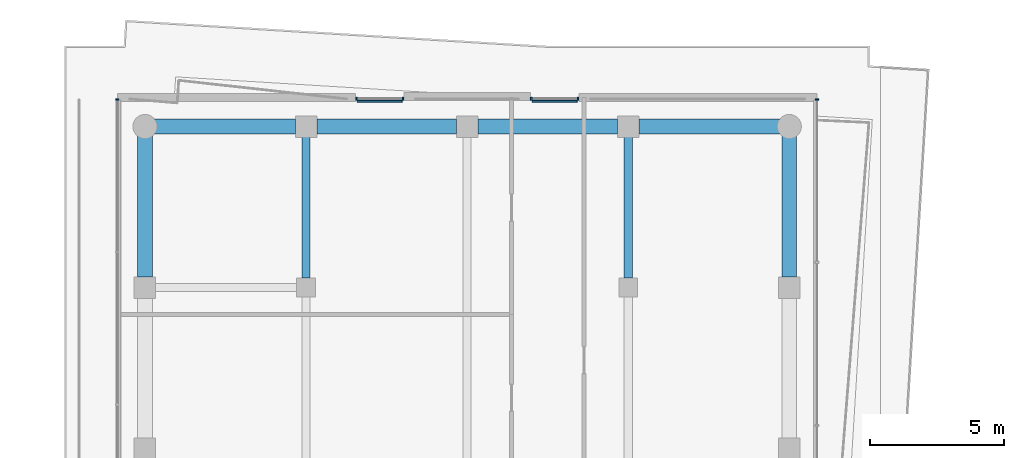
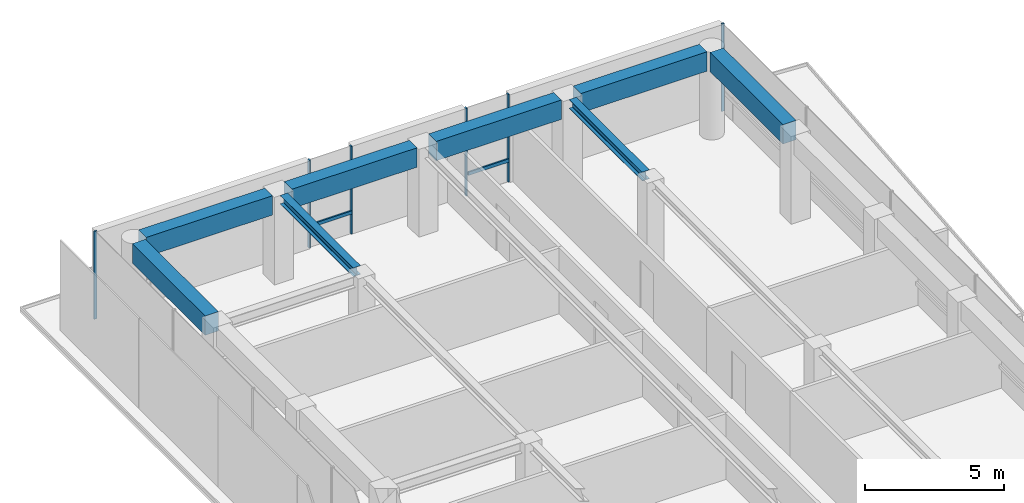
# One storey, part 13 of 19: 8 beams, 8 members, 4 elements without a shape of their own.
"""IFC4 building model written with IfcOpenShell, lengths in metres."""

import ifcopenshell
import ifcopenshell.guid

model = None  # the IFC model being written
_history = None  # IfcOwnerHistory: only IFC2X3 demands one
_inside = {}  # id of a spatial element -> (the spatial element, [elements in it])
_under = {}  # id of a project, library or spatial element -> (it, [spatial elements below it])
_declared = {}  # id of a project -> (the project, [libraries it declares])
_typed = {}  # id of a type object -> (the type object, [elements of that type])
_made_of = {}  # id of a material, layer set ... -> (it, [elements and type objects made of it])


def new_model(schema):
    """Start an empty IFC model of exactly this schema.

    Asked for "IFC4X3", IfcOpenShell would pick the latest addendum, in which some entities
    have other attributes; the version numbers below select the first issue.
    IFC2X3 requires an IfcOwnerHistory on every rooted entity: one is made here for all.
    """
    global model, _history
    if schema == "IFC4X3":
        model = ifcopenshell.file(schema_version=(4, 3, 0, 0))
    else:
        model = ifcopenshell.file(schema=schema)
    _inside.clear()
    _under.clear()
    _declared.clear()
    _typed.clear()
    _made_of.clear()
    _history = None
    if model.schema == "IFC2X3":
        org = make("IfcOrganization", Name="unknown")
        user = make(
            "IfcPersonAndOrganization",
            ThePerson=make("IfcPerson", FamilyName="unknown"),
            TheOrganization=org,
        )
        app = make(
            "IfcApplication",
            ApplicationDeveloper=org,
            Version="unknown",
            ApplicationFullName="unknown",
            ApplicationIdentifier="unknown",
        )
        _history = make(
            "IfcOwnerHistory",
            OwningUser=user,
            OwningApplication=app,
            ChangeAction="ADDED",
            CreationDate=0,
        )
    return model


def make(cls, **values):
    """One entity of the class cls with the attributes given. An attribute that is None is left unset."""
    return model.create_entity(
        cls, **{name: value for name, value in values.items() if value is not None}
    )


def rooted(cls, **values):
    """An entity with a GlobalId (a new one), such as an element, a storey or a relation."""
    return make(cls, GlobalId=ifcopenshell.guid.new(), OwnerHistory=_history, **values)


def si_unit(unit_type, name, prefix=None):
    """IfcSIUnit, for example si_unit("LENGTHUNIT", "METRE", prefix="MILLI")."""
    return make("IfcSIUnit", UnitType=unit_type, Prefix=prefix, Name=name)


def assignment(units):
    """IfcUnitAssignment: the units of a project."""
    return None if units is None else make("IfcUnitAssignment", Units=units)


def point(xyz):
    """IfcCartesianPoint."""
    return None if xyz is None else make("IfcCartesianPoint", Coordinates=xyz)


def direction(xyz):
    """IfcDirection."""
    return None if xyz is None else make("IfcDirection", DirectionRatios=xyz)


def frame(location, z_axis=None, x_axis=None):
    """IfcAxis2Placement3D, a coordinate frame: its origin and axes. An axis left out is left unset."""
    return make(
        "IfcAxis2Placement3D",
        Location=point(location),
        Axis=direction(z_axis),
        RefDirection=direction(x_axis),
    )


def frame_2d(location, x_axis=None):
    """IfcAxis2Placement2D, a coordinate frame in the plane: its origin and x axis."""
    return make(
        "IfcAxis2Placement2D", Location=point(location), RefDirection=direction(x_axis)
    )


def origin():
    """The frame at (0, 0, 0) with its axes left unset."""
    return frame((0.0, 0.0, 0.0))


def origin_2d():
    """The frame at (0, 0) in the plane with its x axis left unset."""
    return frame_2d((0.0, 0.0))


def place(relative_to, where):
    """IfcLocalPlacement: puts the frame where relative to a parent placement (None: the world)."""
    return make(
        "IfcLocalPlacement", PlacementRelTo=relative_to, RelativePlacement=where
    )


def context(
    kind, dimensions, precision=None, world=None, true_north=None, identifier=None
):
    """IfcGeometricRepresentationContext, for example the 3D "Model" context."""
    return make(
        "IfcGeometricRepresentationContext",
        ContextIdentifier=identifier,
        ContextType=kind,
        CoordinateSpaceDimension=dimensions,
        Precision=precision,
        WorldCoordinateSystem=world,
        TrueNorth=true_north,
    )


def subcontext(parent, identifier, kind, view, scale=None):
    """IfcGeometricRepresentationSubContext, for example "Body" below "Model"."""
    return make(
        "IfcGeometricRepresentationSubContext",
        ContextIdentifier=identifier,
        ContextType=kind,
        ParentContext=parent,
        TargetScale=scale,
        TargetView=view,
    )


def project(units=None, contexts=None):
    """IfcProject with its units and contexts."""
    return rooted(
        "IfcProject",
        Name="project",
        RepresentationContexts=contexts,
        UnitsInContext=assignment(units),
    )


def spatial(cls, under=None, at=None, **own):
    """A site, building, storey or space (cls), placed at a placement, below another one or the project."""
    s = rooted(cls, ObjectPlacement=at, **own)
    if under is not None:
        _under.setdefault(under.id(), (under, []))[1].append(s)
    return s


def profile(cls, at=None, kind="AREA", **sizes):
    """A parametric profile (cls). Its sizes go by their IFC names, for example OverallWidth=200.0."""
    return make(cls, ProfileType=kind, Position=at, **sizes)


def rectangle(**sizes):
    """IfcRectangleProfileDef."""
    return profile("IfcRectangleProfileDef", **sizes)


def i_section(**sizes):
    """IfcIShapeProfileDef."""
    return profile("IfcIShapeProfileDef", **sizes)


def extrude(swept, where, along, depth):
    """IfcExtrudedAreaSolid: the profile swept, set in the frame where, extruded along a direction by depth."""
    return make(
        "IfcExtrudedAreaSolid",
        SweptArea=swept,
        Position=where,
        ExtrudedDirection=direction(along),
        Depth=depth,
    )


def shape(context_of_items, identifier, shape_type, items):
    """IfcShapeRepresentation: the items that make up one representation, for example the "Body"."""
    return make(
        "IfcShapeRepresentation",
        ContextOfItems=context_of_items,
        RepresentationIdentifier=identifier,
        RepresentationType=shape_type,
        Items=items,
    )


def material(Name=None, Category=None):
    """IfcMaterial."""
    return make("IfcMaterial", Name=Name, Category=Category)


def layer(
    of_material, thickness, ventilated=None, Name=None, Category=None, Priority=None
):
    """IfcMaterialLayer: one layer of a wall or slab, of a material (None: an air gap)."""
    return make(
        "IfcMaterialLayer",
        Material=of_material,
        LayerThickness=thickness,
        IsVentilated=ventilated,
        Name=Name,
        Category=Category,
        Priority=Priority,
    )


def layer_set(layers, Name=None):
    """IfcMaterialLayerSet."""
    return make("IfcMaterialLayerSet", MaterialLayers=layers, LayerSetName=Name)


def material_profile(
    of_material, cross_section, Name=None, Category=None, Priority=None
):
    """IfcMaterialProfile: a cross section and its material."""
    return make(
        "IfcMaterialProfile",
        Name=Name,
        Material=of_material,
        Profile=cross_section,
        Priority=Priority,
        Category=Category,
    )


def profile_set(profiles, Name=None, composite=None):
    """IfcMaterialProfileSet."""
    return make(
        "IfcMaterialProfileSet",
        Name=Name,
        MaterialProfiles=profiles,
        CompositeProfile=composite,
    )


def made_of(thing, what):
    """Note that an element or type object is made of a material, layer set ...; save() writes the relation."""
    if what is not None:
        _made_of.setdefault(what.id(), (what, []))[1].append(thing)
    return thing


def type_object(cls, material=None, **own):
    """A type object (cls), such as IfcWallType, which elements share."""
    return made_of(rooted(cls, **own), material)


def element(
    cls,
    number,
    at=None,
    inside=None,
    cuts=None,
    type_object=None,
    material=None,
    context=None,
    identifier="Body",
    shape_type=None,
    held_by="IfcProductDefinitionShape",
    body=None,
    shapes=None,
    **own,
):
    """One element of the class cls, such as IfcWall. Its Tag is "e" and its number.

    at: its placement. inside: the storey or other place that contains it. cuts: it is an
    opening in that element (IfcRelVoidsElement). A single representation is given by context,
    identifier, shape_type and body (its items); several are given by shapes. held_by: the class
    of the entity that holds the representations. save() writes the other relations.
    """
    e = rooted(cls, Tag="e%d" % number, ObjectPlacement=at, **own)
    if body is not None:
        shapes = [shape(context, identifier, shape_type, body)]
    if shapes is not None:
        e.Representation = make(held_by, Representations=shapes)
    if inside is not None:
        _inside.setdefault(inside.id(), (inside, []))[1].append(e)
    if cuts is not None:
        rooted(
            "IfcRelVoidsElement", RelatingBuildingElement=cuts, RelatedOpeningElement=e
        )
    if type_object is not None:
        _typed.setdefault(type_object.id(), (type_object, []))[1].append(e)
    return made_of(e, material)


def aggregate(whole, parts):
    """IfcRelAggregates: a whole, such as a stair, and the parts it consists of."""
    return rooted("IfcRelAggregates", RelatingObject=whole, RelatedObjects=parts)


def save(model, path):
    """Write the relations noted so far, then the file.

    IfcRelAggregates (storeys below a building ...), IfcRelContainedInSpatialStructure (elements
    in a storey), IfcRelDefinesByType, IfcRelAssociatesMaterial and IfcRelDeclares: one each for
    every whole, place, type object, material and project.
    """
    for whole, parts in _under.values():
        aggregate(whole, parts)
    for where, things in _inside.values():
        rooted(
            "IfcRelContainedInSpatialStructure",
            RelatedElements=things,
            RelatingStructure=where,
        )
    for kind, things in _typed.values():
        rooted("IfcRelDefinesByType", RelatedObjects=things, RelatingType=kind)
    for what, things in _made_of.values():
        rooted("IfcRelAssociatesMaterial", RelatedObjects=things, RelatingMaterial=what)
    for by, libraries in _declared.values():
        rooted("IfcRelDeclares", RelatingContext=by, RelatedDefinitions=libraries)
    model.write(path)


model = new_model("IFC4")

# Units and contexts
model_context = context("Model", 3, precision=1e-05, world=origin(), true_north=direction((0.0, 1.0)))
body_context = subcontext(model_context, "Body", "Model", "MODEL_VIEW")
ifc_project = project(units=[si_unit("LENGTHUNIT", "METRE"), si_unit("AREAUNIT", "SQUARE_METRE"), si_unit("VOLUMEUNIT", "CUBIC_METRE"), si_unit("PLANEANGLEUNIT", "RADIAN"), si_unit("MASSUNIT", "GRAM", prefix="KILO")], contexts=[model_context])

# Site, building, storey
site_placement = place(None, origin())
site = spatial("IfcSite", under=ifc_project, at=site_placement, CompositionType="ELEMENT")
building_placement = place(site_placement, origin())
building = spatial("IfcBuilding", under=site, at=building_placement, Name="Welwitschia Terrace Campus", CompositionType="ELEMENT")
storey_placement = place(building_placement, frame((0.0, 0.0, 243.199951171875)))
storey = spatial("IfcBuildingStorey", under=building, at=storey_placement, Name="L54", CompositionType="ELEMENT", Elevation=243.199951171875)

# Beams
ifc_material_1 = material(Name="Steel S355", Category="steel")
ifc_material_profile_1 = material_profile(ifc_material_1, i_section(OverallWidth=0.300048828125, OverallDepth=0.389892578125, WebThickness=0.010986328125, FlangeThickness=0.01904296875, FilletRadius=0.027099609375, at=origin_2d()))
ifc_profile_set_1 = profile_set([ifc_material_profile_1], Name="Steel S355")
beam_type_1 = type_object("IfcBeamType", Name="Interior girder HE 400 A", PredefinedType="BEAM", material=ifc_profile_set_1)
for number, where, z_axis, x_axis, name in (
    (1, (6.0, 64.3505859375, 3.655029296875), (0.0, 1.0, 0.0), (-1.0, 0.0, 0.0), "Girder GB5"),
    (2, (18.0, 64.3505859375, 3.655029296875), (0.0, 1.0, 0.0), (-1.0, 0.0, 0.0), "Girder GB5"),
):
    element("IfcBeam", number, at=place(storey_placement, frame(where, z_axis=z_axis, x_axis=x_axis)), inside=storey, type_object=beam_type_1, Name=name, PredefinedType="BEAM", context=body_context, shape_type="SweptSolid", body=[
        extrude(i_section(OverallWidth=0.300048828125, OverallDepth=0.389892578125, WebThickness=0.010986328125, FlangeThickness=0.01904296875, FilletRadius=0.027099609375, at=origin_2d()), origin(), (0.0, 0.0, 1.0), 5.259033203125),
    ])

# Curtain wall, member
ifc_material_2 = material(Name="Bronze anodised aluminium", Category="aluminium")
ifc_layer = layer(ifc_material_2, 0.1201171875)
ifc_layer_set = layer_set([ifc_layer], Name="Bronze anodised aluminium")
curtain_wall_type = type_object("IfcCurtainWallType", Name="Curtain wall CW2 tower 6000", PredefinedType="NOTDEFINED", material=ifc_layer_set)
curtain_wall_1_placement = place(storey_placement, origin())
curtain_wall_1 = element("IfcCurtainWall", 3, at=curtain_wall_1_placement, inside=storey, type_object=curtain_wall_type, Name="CW L54.6.0", PredefinedType="NOTDEFINED")
ifc_material_3 = material(Name="Bronze anodised aluminium", Category="aluminium")
ifc_material_profile_2 = material_profile(ifc_material_3, rectangle(XDim=0.1201171875, YDim=0.06005859375, at=origin_2d()))
ifc_profile_set_2 = profile_set([ifc_material_profile_2], Name="Bronze anodised aluminium")
member_type_1 = type_object("IfcMemberType", Name="Mullion 60x120", PredefinedType="MULLION", material=ifc_profile_set_2)
member_1_placement = place(storey_placement, frame((25.030029296875, 71.0, 0.0), z_axis=(0.0, 0.0, 1.0), x_axis=(-1.0, 0.0, 0.0)))
member_1 = element("IfcMember", 4, at=member_1_placement, type_object=member_type_1, Name="Mullion L54.6.0.7", PredefinedType="MULLION", context=body_context, shape_type="SweptSolid", body=[
    extrude(rectangle(XDim=0.1201171875, YDim=0.06005859375, at=origin_2d()), origin(), (0.0, 0.0, 1.0), 3.85009765625),
])
aggregate(curtain_wall_1, [member_1])

# Curtain wall, members
curtain_wall_2_placement = place(storey_placement, origin())
curtain_wall_2 = element("IfcCurtainWall", 5, at=curtain_wall_2_placement, inside=storey, type_object=curtain_wall_type, Name="CW L54.7.S0", PredefinedType="NOTDEFINED")
member_2_placement = place(storey_placement, frame((16.12744140625, 71.030029296875, 0.0), z_axis=(0.0, 0.0, 1.0), x_axis=(0.0, -1.0, 0.0)))
member_2 = element("IfcMember", 6, at=member_2_placement, type_object=member_type_1, Name="Mullion L54.7.S0.0", PredefinedType="MULLION", context=body_context, shape_type="SweptSolid", body=[
    extrude(rectangle(XDim=0.1201171875, YDim=0.06005859375, at=origin_2d()), origin(), (0.0, 0.0, 1.0), 3.85009765625),
])
member_3_placement = place(storey_placement, frame((14.387451171875, 71.030029296875, 0.0), z_axis=(0.0, 0.0, 1.0), x_axis=(0.0, -1.0, 0.0)))
member_3 = element("IfcMember", 7, at=member_3_placement, type_object=member_type_1, Name="Mullion L54.7.S0.1", PredefinedType="MULLION", context=body_context, shape_type="SweptSolid", body=[
    extrude(rectangle(XDim=0.1201171875, YDim=0.06005859375, at=origin_2d()), origin(), (0.0, 0.0, 1.0), 3.85009765625),
])

curtain_wall_3_placement = place(storey_placement, origin())
curtain_wall_3 = element("IfcCurtainWall", 8, at=curtain_wall_3_placement, inside=storey, type_object=curtain_wall_type, Name="CW L54.7.S1", PredefinedType="NOTDEFINED")
member_4_placement = place(storey_placement, frame((9.612548828125, 71.030029296875, 0.0), z_axis=(0.0, 0.0, 1.0), x_axis=(0.0, -1.0, 0.0)))
member_4 = element("IfcMember", 9, at=member_4_placement, type_object=member_type_1, Name="Mullion L54.7.S1.0", PredefinedType="MULLION", context=body_context, shape_type="SweptSolid", body=[
    extrude(rectangle(XDim=0.1201171875, YDim=0.06005859375, at=origin_2d()), origin(), (0.0, 0.0, 1.0), 3.85009765625),
])
member_5_placement = place(storey_placement, frame((7.87255859375, 71.030029296875, 0.0), z_axis=(0.0, 0.0, 1.0), x_axis=(0.0, -1.0, 0.0)))
member_5 = element("IfcMember", 10, at=member_5_placement, type_object=member_type_1, Name="Mullion L54.7.S1.1", PredefinedType="MULLION", context=body_context, shape_type="SweptSolid", body=[
    extrude(rectangle(XDim=0.1201171875, YDim=0.06005859375, at=origin_2d()), origin(), (0.0, 0.0, 1.0), 3.85009765625),
])

# Curtain wall, member
curtain_wall_4_placement = place(storey_placement, origin())
curtain_wall_4 = element("IfcCurtainWall", 11, at=curtain_wall_4_placement, inside=storey, type_object=curtain_wall_type, Name="CW L54.8.0", PredefinedType="NOTDEFINED")
member_6_placement = place(storey_placement, frame((-1.030029296875, 71.0, 0.0), z_axis=(0.0, 0.0, 1.0), x_axis=(1.0, 0.0, 0.0)))
member_6 = element("IfcMember", 12, at=member_6_placement, type_object=member_type_1, Name="Mullion L54.8.0.0", PredefinedType="MULLION", context=body_context, shape_type="SweptSolid", body=[
    extrude(rectangle(XDim=0.1201171875, YDim=0.06005859375, at=origin_2d()), origin(), (0.0, 0.0, 1.0), 3.85009765625),
])
aggregate(curtain_wall_4, [member_6])

# Beams
ifc_material_4 = material(Name="Concrete C50/60", Category="concrete")
ifc_material_profile_3 = material_profile(ifc_material_4, rectangle(XDim=0.550048828125, YDim=0.85009765625, at=origin_2d()))
ifc_profile_set_3 = profile_set([ifc_material_profile_3], Name="Concrete C50/60")
beam_type_2 = type_object("IfcBeamType", Name="Ring spandrel 550x850", PredefinedType="SPANDREL", material=ifc_profile_set_3)
for number, where, z_axis, x_axis, name in (
    (13, (24.0, 64.400390625, 3.425048828125), (0.0, 1.0, 0.0), (-1.0, 0.0, 0.0), "Spandrel SP3"),
    (14, (23.64306640625, 70.0, 3.425048828125), (-1.0, 0.0, 0.0), (0.0, -1.0, 0.0), "Spandrel SP3"),
):
    element("IfcBeam", number, at=place(storey_placement, frame(where, z_axis=z_axis, x_axis=x_axis)), inside=storey, type_object=beam_type_2, Name=name, PredefinedType="SPANDREL", context=body_context, shape_type="SweptSolid", body=[
        extrude(rectangle(XDim=0.550048828125, YDim=0.85009765625, at=origin_2d()), origin(), (0.0, 0.0, 1.0), 5.24267578125),
    ])
for number, where, z_axis, x_axis, name in (
    (15, (17.599609375, 70.0, 3.425048828125), (-1.0, 0.0, 0.0), (0.0, -1.0, 0.0), "Spandrel SP3"),
    (16, (11.599609375, 70.0, 3.425048828125), (-1.0, 0.0, 0.0), (0.0, -1.0, 0.0), "Spandrel SP3"),
):
    element("IfcBeam", number, at=place(storey_placement, frame(where, z_axis=z_axis, x_axis=x_axis)), inside=storey, type_object=beam_type_2, Name=name, PredefinedType="SPANDREL", context=body_context, shape_type="SweptSolid", body=[
        extrude(rectangle(XDim=0.550048828125, YDim=0.85009765625, at=origin_2d()), origin(), (0.0, 0.0, 1.0), 5.19921875),
    ])
for number, where, z_axis, x_axis, name in (
    (17, (5.599609375, 70.0, 3.425048828125), (-1.0, 0.0, 0.0), (0.0, -1.0, 0.0), "Spandrel SP3"),
    (18, (0.0, 69.64306640625, 3.425048828125), (0.0, -1.0, 0.0), (1.0, 0.0, 0.0), "Spandrel SP3"),
):
    element("IfcBeam", number, at=place(storey_placement, frame(where, z_axis=z_axis, x_axis=x_axis)), inside=storey, type_object=beam_type_2, Name=name, PredefinedType="SPANDREL", context=body_context, shape_type="SweptSolid", body=[
        extrude(rectangle(XDim=0.550048828125, YDim=0.85009765625, at=origin_2d()), origin(), (0.0, 0.0, 1.0), 5.24267578125),
    ])

# Member
ifc_material_5 = material(Name="Bronze anodised aluminium", Category="aluminium")
ifc_material_profile_4 = material_profile(ifc_material_5, rectangle(XDim=0.06005859375, YDim=0.14990234375, at=origin_2d()))
ifc_profile_set_4 = profile_set([ifc_material_profile_4], Name="Bronze anodised aluminium")
member_type_2 = type_object("IfcMemberType", Name="Transom 60x150", PredefinedType="USERDEFINED", material=ifc_profile_set_4)
member_7_placement = place(storey_placement, frame((16.097412109375, 70.93994140625, 1.0), z_axis=(-1.0, 0.0, 0.0), x_axis=(0.0, -1.0, 0.0)))
member_7 = element("IfcMember", 19, at=member_7_placement, type_object=member_type_2, Name="Transom L54.7.S0", ObjectType="TRANSOM", PredefinedType="USERDEFINED", context=body_context, shape_type="SweptSolid", body=[
    extrude(rectangle(XDim=0.06005859375, YDim=0.14990234375, at=origin_2d()), origin(), (0.0, 0.0, 1.0), 1.679931640625),
])

aggregate(curtain_wall_2, [member_2, member_3, member_7])

member_8_placement = place(storey_placement, frame((9.58251953125, 70.93994140625, 1.0), z_axis=(-1.0, 0.0, 0.0), x_axis=(0.0, -1.0, 0.0)))
member_8 = element("IfcMember", 20, at=member_8_placement, type_object=member_type_2, Name="Transom L54.7.S1", ObjectType="TRANSOM", PredefinedType="USERDEFINED", context=body_context, shape_type="SweptSolid", body=[
    extrude(rectangle(XDim=0.06005859375, YDim=0.14990234375, at=origin_2d()), origin(), (0.0, 0.0, 1.0), 1.679931640625),
])

aggregate(curtain_wall_3, [member_4, member_5, member_8])

save(model, "model.ifc")
